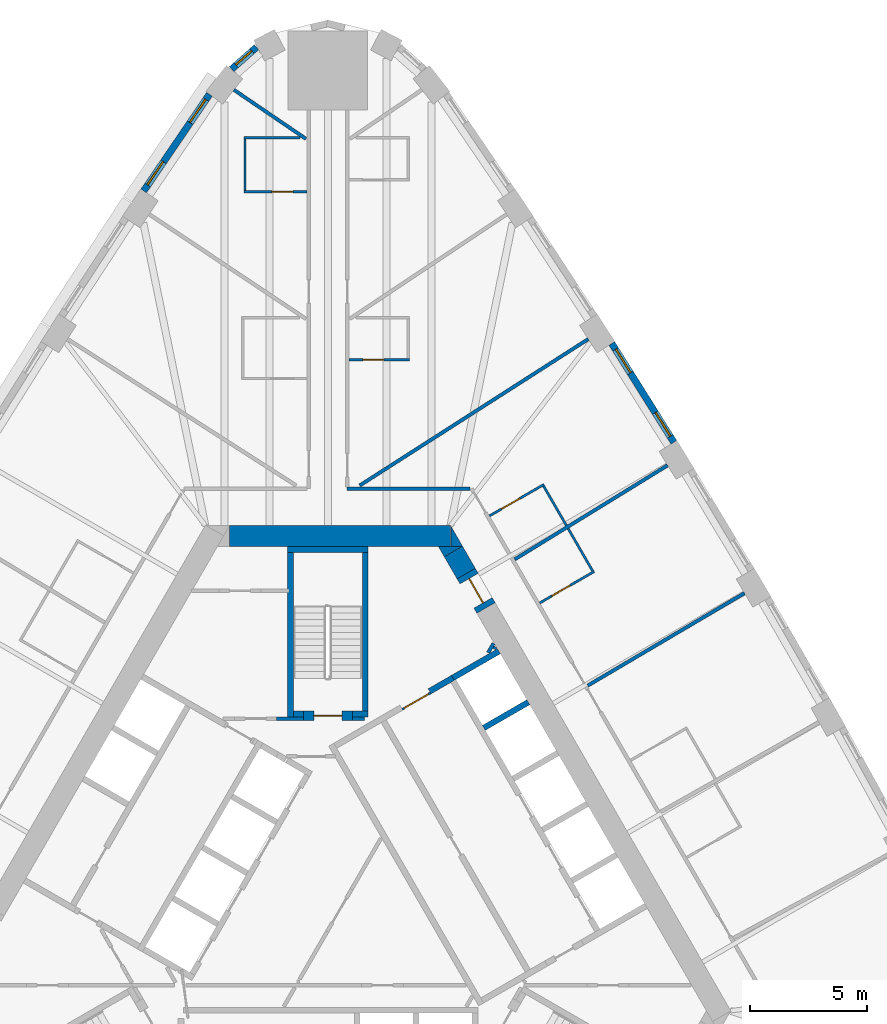
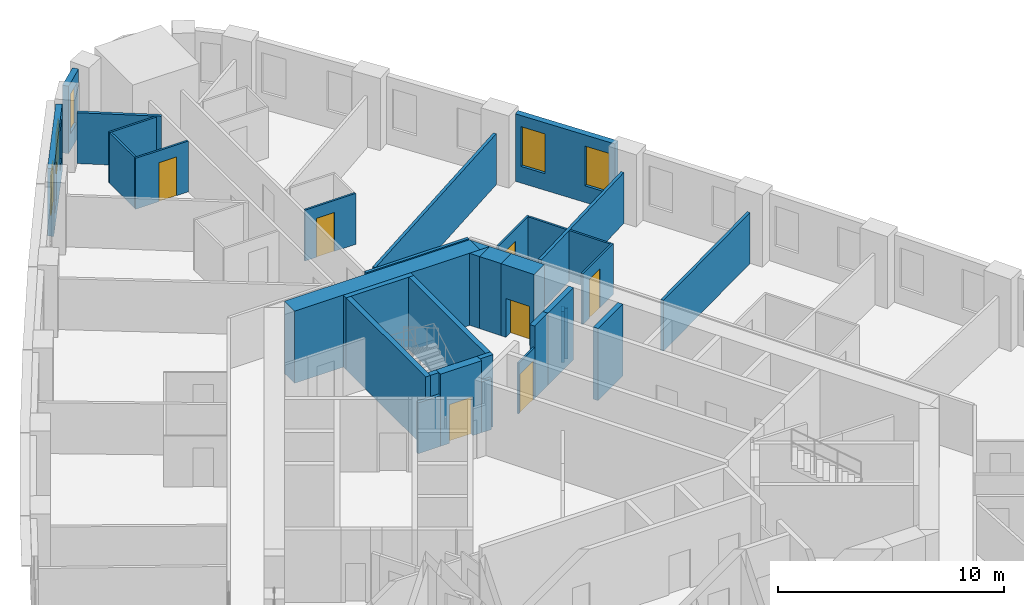
# One storey, part 10 of 13: 35 walls, 7 doors, 5 windows, 12 openings.
"""IFC4 building model written with IfcOpenShell, lengths in metres."""

import ifcopenshell
import ifcopenshell.guid

model = None  # the IFC model being written
_history = None  # IfcOwnerHistory: only IFC2X3 demands one
_inside = {}  # id of a spatial element -> (the spatial element, [elements in it])
_under = {}  # id of a project, library or spatial element -> (it, [spatial elements below it])
_declared = {}  # id of a project -> (the project, [libraries it declares])
_typed = {}  # id of a type object -> (the type object, [elements of that type])
_made_of = {}  # id of a material, layer set ... -> (it, [elements and type objects made of it])


def new_model(schema):
    """Start an empty IFC model of exactly this schema.

    Asked for "IFC4X3", IfcOpenShell would pick the latest addendum, in which some entities
    have other attributes; the version numbers below select the first issue.
    IFC2X3 requires an IfcOwnerHistory on every rooted entity: one is made here for all.
    """
    global model, _history
    if schema == "IFC4X3":
        model = ifcopenshell.file(schema_version=(4, 3, 0, 0))
    else:
        model = ifcopenshell.file(schema=schema)
    _inside.clear()
    _under.clear()
    _declared.clear()
    _typed.clear()
    _made_of.clear()
    _history = None
    if model.schema == "IFC2X3":
        org = make("IfcOrganization", Name="unknown")
        user = make(
            "IfcPersonAndOrganization",
            ThePerson=make("IfcPerson", FamilyName="unknown"),
            TheOrganization=org,
        )
        app = make(
            "IfcApplication",
            ApplicationDeveloper=org,
            Version="unknown",
            ApplicationFullName="unknown",
            ApplicationIdentifier="unknown",
        )
        _history = make(
            "IfcOwnerHistory",
            OwningUser=user,
            OwningApplication=app,
            ChangeAction="ADDED",
            CreationDate=0,
        )
    return model


def make(cls, **values):
    """One entity of the class cls with the attributes given. An attribute that is None is left unset."""
    return model.create_entity(
        cls, **{name: value for name, value in values.items() if value is not None}
    )


def rooted(cls, **values):
    """An entity with a GlobalId (a new one), such as an element, a storey or a relation."""
    return make(cls, GlobalId=ifcopenshell.guid.new(), OwnerHistory=_history, **values)


def si_unit(unit_type, name, prefix=None):
    """IfcSIUnit, for example si_unit("LENGTHUNIT", "METRE", prefix="MILLI")."""
    return make("IfcSIUnit", UnitType=unit_type, Prefix=prefix, Name=name)


def assignment(units):
    """IfcUnitAssignment: the units of a project."""
    return None if units is None else make("IfcUnitAssignment", Units=units)


def point(xyz):
    """IfcCartesianPoint."""
    return None if xyz is None else make("IfcCartesianPoint", Coordinates=xyz)


def direction(xyz):
    """IfcDirection."""
    return None if xyz is None else make("IfcDirection", DirectionRatios=xyz)


def frame(location, z_axis=None, x_axis=None):
    """IfcAxis2Placement3D, a coordinate frame: its origin and axes. An axis left out is left unset."""
    return make(
        "IfcAxis2Placement3D",
        Location=point(location),
        Axis=direction(z_axis),
        RefDirection=direction(x_axis),
    )


def frame_2d(location, x_axis=None):
    """IfcAxis2Placement2D, a coordinate frame in the plane: its origin and x axis."""
    return make(
        "IfcAxis2Placement2D", Location=point(location), RefDirection=direction(x_axis)
    )


def origin():
    """The frame at (0, 0, 0) with its axes left unset."""
    return frame((0.0, 0.0, 0.0))


def place(relative_to, where):
    """IfcLocalPlacement: puts the frame where relative to a parent placement (None: the world)."""
    return make(
        "IfcLocalPlacement", PlacementRelTo=relative_to, RelativePlacement=where
    )


def context(
    kind, dimensions, precision=None, world=None, true_north=None, identifier=None
):
    """IfcGeometricRepresentationContext, for example the 3D "Model" context."""
    return make(
        "IfcGeometricRepresentationContext",
        ContextIdentifier=identifier,
        ContextType=kind,
        CoordinateSpaceDimension=dimensions,
        Precision=precision,
        WorldCoordinateSystem=world,
        TrueNorth=true_north,
    )


def subcontext(parent, identifier, kind, view, scale=None):
    """IfcGeometricRepresentationSubContext, for example "Body" below "Model"."""
    return make(
        "IfcGeometricRepresentationSubContext",
        ContextIdentifier=identifier,
        ContextType=kind,
        ParentContext=parent,
        TargetScale=scale,
        TargetView=view,
    )


def project(units=None, contexts=None):
    """IfcProject with its units and contexts."""
    return rooted(
        "IfcProject",
        Name="project",
        RepresentationContexts=contexts,
        UnitsInContext=assignment(units),
    )


def spatial(cls, under=None, at=None, **own):
    """A site, building, storey or space (cls), placed at a placement, below another one or the project."""
    s = rooted(cls, ObjectPlacement=at, **own)
    if under is not None:
        _under.setdefault(under.id(), (under, []))[1].append(s)
    return s


def polyline(points):
    """IfcPolyline through the points."""
    return make("IfcPolyline", Points=[point(p) for p in points])


def profile(cls, at=None, kind="AREA", **sizes):
    """A parametric profile (cls). Its sizes go by their IFC names, for example OverallWidth=200.0."""
    return make(cls, ProfileType=kind, Position=at, **sizes)


def rectangle(**sizes):
    """IfcRectangleProfileDef."""
    return profile("IfcRectangleProfileDef", **sizes)


def outline(outer, holes=None, kind="AREA"):
    """IfcArbitraryClosedProfileDef: a profile drawn as a closed curve; with holes, ...WithVoids."""
    if holes is None:
        return make("IfcArbitraryClosedProfileDef", ProfileType=kind, OuterCurve=outer)
    return make(
        "IfcArbitraryProfileDefWithVoids",
        ProfileType=kind,
        OuterCurve=outer,
        InnerCurves=holes,
    )


def extrude(swept, where, along, depth):
    """IfcExtrudedAreaSolid: the profile swept, set in the frame where, extruded along a direction by depth."""
    return make(
        "IfcExtrudedAreaSolid",
        SweptArea=swept,
        Position=where,
        ExtrudedDirection=direction(along),
        Depth=depth,
    )


def shape(context_of_items, identifier, shape_type, items):
    """IfcShapeRepresentation: the items that make up one representation, for example the "Body"."""
    return make(
        "IfcShapeRepresentation",
        ContextOfItems=context_of_items,
        RepresentationIdentifier=identifier,
        RepresentationType=shape_type,
        Items=items,
    )


def material(Name=None, Category=None):
    """IfcMaterial."""
    return make("IfcMaterial", Name=Name, Category=Category)


def layer(
    of_material, thickness, ventilated=None, Name=None, Category=None, Priority=None
):
    """IfcMaterialLayer: one layer of a wall or slab, of a material (None: an air gap)."""
    return make(
        "IfcMaterialLayer",
        Material=of_material,
        LayerThickness=thickness,
        IsVentilated=ventilated,
        Name=Name,
        Category=Category,
        Priority=Priority,
    )


def layer_set(layers, Name=None):
    """IfcMaterialLayerSet."""
    return make("IfcMaterialLayerSet", MaterialLayers=layers, LayerSetName=Name)


def made_of(thing, what):
    """Note that an element or type object is made of a material, layer set ...; save() writes the relation."""
    if what is not None:
        _made_of.setdefault(what.id(), (what, []))[1].append(thing)
    return thing


def type_object(cls, material=None, **own):
    """A type object (cls), such as IfcWallType, which elements share."""
    return made_of(rooted(cls, **own), material)


def element(
    cls,
    number,
    at=None,
    inside=None,
    cuts=None,
    type_object=None,
    material=None,
    context=None,
    identifier="Body",
    shape_type=None,
    held_by="IfcProductDefinitionShape",
    body=None,
    shapes=None,
    **own,
):
    """One element of the class cls, such as IfcWall. Its Tag is "e" and its number.

    at: its placement. inside: the storey or other place that contains it. cuts: it is an
    opening in that element (IfcRelVoidsElement). A single representation is given by context,
    identifier, shape_type and body (its items); several are given by shapes. held_by: the class
    of the entity that holds the representations. save() writes the other relations.
    """
    e = rooted(cls, Tag="e%d" % number, ObjectPlacement=at, **own)
    if body is not None:
        shapes = [shape(context, identifier, shape_type, body)]
    if shapes is not None:
        e.Representation = make(held_by, Representations=shapes)
    if inside is not None:
        _inside.setdefault(inside.id(), (inside, []))[1].append(e)
    if cuts is not None:
        rooted(
            "IfcRelVoidsElement", RelatingBuildingElement=cuts, RelatedOpeningElement=e
        )
    if type_object is not None:
        _typed.setdefault(type_object.id(), (type_object, []))[1].append(e)
    return made_of(e, material)


def fill(opening, filler):
    """IfcRelFillsElement: the door or window that sits in an opening."""
    return rooted(
        "IfcRelFillsElement",
        RelatingOpeningElement=opening,
        RelatedBuildingElement=filler,
    )


def aggregate(whole, parts):
    """IfcRelAggregates: a whole, such as a stair, and the parts it consists of."""
    return rooted("IfcRelAggregates", RelatingObject=whole, RelatedObjects=parts)


def save(model, path):
    """Write the relations noted so far, then the file.

    IfcRelAggregates (storeys below a building ...), IfcRelContainedInSpatialStructure (elements
    in a storey), IfcRelDefinesByType, IfcRelAssociatesMaterial and IfcRelDeclares: one each for
    every whole, place, type object, material and project.
    """
    for whole, parts in _under.values():
        aggregate(whole, parts)
    for where, things in _inside.values():
        rooted(
            "IfcRelContainedInSpatialStructure",
            RelatedElements=things,
            RelatingStructure=where,
        )
    for kind, things in _typed.values():
        rooted("IfcRelDefinesByType", RelatedObjects=things, RelatingType=kind)
    for what, things in _made_of.values():
        rooted("IfcRelAssociatesMaterial", RelatedObjects=things, RelatingMaterial=what)
    for by, libraries in _declared.values():
        rooted("IfcRelDeclares", RelatingContext=by, RelatedDefinitions=libraries)
    model.write(path)


model = new_model("IFC4")

# Units and contexts
model_context = context("Model", 3, precision=1e-05, world=origin(), true_north=direction((0.0, 1.0)))
body_context = subcontext(model_context, "Body", "Model", "MODEL_VIEW")
ifc_project = project(units=[si_unit("LENGTHUNIT", "METRE"), si_unit("AREAUNIT", "SQUARE_METRE"), si_unit("VOLUMEUNIT", "CUBIC_METRE"), si_unit("PLANEANGLEUNIT", "RADIAN"), si_unit("MASSUNIT", "GRAM", prefix="KILO")], contexts=[model_context])

# Site, building, storey
site_placement = place(None, origin())
site = spatial("IfcSite", under=ifc_project, at=site_placement, CompositionType="ELEMENT")
building_placement = place(site_placement, origin())
building = spatial("IfcBuilding", under=site, at=building_placement, Name="Mestral Congress Tower", CompositionType="ELEMENT")
storey_placement = place(building_placement, frame((0.0, 0.0, 62.699951171875)))
storey = spatial("IfcBuildingStorey", under=building, at=storey_placement, Name="L14", CompositionType="ELEMENT", Elevation=62.699951171875)

# Walls
ifc_material_1 = material(Name="Fire-rated board partition")
ifc_layer_1 = layer(ifc_material_1, 0.14990234375)
ifc_layer_set_1 = layer_set([ifc_layer_1], Name="Fire-rated board partition")
wall_type_1 = type_object("IfcWallType", Name="Core partition 150", PredefinedType="PARTITIONING", material=ifc_layer_set_1)
wall_1_placement = place(storey_placement, frame((-2.1962890625, 8.62548828125, 0.0), z_axis=(0.0, 0.0, 1.0), x_axis=(1.0, 0.0, 0.0)))
element("IfcWall", 1, at=wall_1_placement, inside=storey, type_object=wall_type_1, Name="L14 core wall", PredefinedType="PARTITIONING", context=body_context, shape_type="SweptSolid", body=[
    extrude(rectangle(XDim=1.146240234375, YDim=0.14990234375, at=frame_2d((0.5732421875, 0.0))), origin(), (0.0, 0.0, 1.0), 2.75),
])
wall_2_placement = place(storey_placement, frame((1.050048828125, 8.62548828125, 0.0), z_axis=(0.0, 0.0, 1.0), x_axis=(1.0, 0.0, 0.0)))
element("IfcWall", 2, at=wall_2_placement, inside=storey, type_object=wall_type_1, Name="L14 core wall", PredefinedType="PARTITIONING", context=body_context, shape_type="SweptSolid", body=[
    extrude(rectangle(XDim=0.513916015625, YDim=0.14990234375, at=frame_2d((0.2568359375, 0.0))), origin(), (0.0, 0.0, 1.0), 2.75),
])
wall_3_placement = place(storey_placement, frame((6.87158203125, 11.44970703125, 0.0), z_axis=(0.0, 0.0, 1.0), x_axis=(0.499846793097, 0.866113839764, 0.0)))
element("IfcWall", 3, at=wall_3_placement, inside=storey, type_object=wall_type_1, Name="L14 core wall", PredefinedType="PARTITIONING", context=body_context, shape_type="SweptSolid", body=[
    extrude(rectangle(XDim=0.453369140625, YDim=0.14990234375, at=frame_2d((0.2265625, 0.0))), origin(), (0.0, 0.0, 1.0), 2.75),
])
wall_4_placement = place(storey_placement, frame((7.13134765625, 11.599609375, 0.0), z_axis=(0.0, 0.0, 1.0), x_axis=(0.498600033135, 0.866832167699, 0.0)))
element("IfcWall", 4, at=wall_4_placement, inside=storey, type_object=wall_type_1, Name="L14 core wall", PredefinedType="PARTITIONING", context=body_context, shape_type="SweptSolid", body=[
    extrude(rectangle(XDim=0.106689453125, YDim=0.14990234375, at=frame_2d((0.05322265625, 0.0))), origin(), (0.0, 0.0, 1.0), 2.75),
])

# Wall, opening, door
ifc_layer_2 = layer(ifc_material_1, 0.090087890625)
ifc_layer_set_2 = layer_set([ifc_layer_2], Name="Fire-rated board partition")
wall_type_2 = type_object("IfcWallType", Name="Core partition 150 door-wall 90", PredefinedType="PARTITIONING", material=ifc_layer_set_2)
wall_5_placement = place(storey_placement, frame((3.182861328125, 9.02001953125, 0.0), z_axis=(0.0, 0.0, 1.0), x_axis=(0.866034573852, 0.49998411664, 0.0)))
wall_5 = element("IfcWall", 5, at=wall_5_placement, inside=storey, type_object=wall_type_2, Name="L14 door wall", PredefinedType="PARTITIONING", context=body_context, shape_type="SweptSolid", body=[
    extrude(rectangle(XDim=1.39990234375, YDim=0.090087890625, at=frame_2d((0.699951171875, 0.0))), origin(), (0.0, 0.0, 1.0), 2.75),
])
opening_1_placement = place(wall_5_placement, frame((0.10009765625, 0.0, 0.0)))
opening_1 = element("IfcOpeningElement", 6, at=opening_1_placement, cuts=wall_5, Name="Opening LB1-WL2", PredefinedType="OPENING", context=body_context, shape_type="SweptSolid", body=[
    extrude(rectangle(XDim=1.199951171875, YDim=2.10009765625, at=frame_2d((0.60009765625, 1.050048828125))), frame((0.0, 0.054931640625, 0.0), z_axis=(0.0, -1.0, 0.0), x_axis=(1.0, 0.0, 0.0)), (0.0, 0.0, 1.0), 0.110107421875),
])
ifc_material_2 = material(Name="Fire-rated steel door set", Category="steel")
door_type_1 = type_object("IfcDoorType", Name="Core door LB 1200x2100", OperationType="SINGLE_SWING_LEFT", PredefinedType="DOOR", material=ifc_material_2)
door_1_placement = place(opening_1_placement, origin())
door_1 = element("IfcDoor", 7, at=door_1_placement, inside=storey, type_object=door_type_1, Name="Door LB1-WL2", OperationType="SINGLE_SWING_LEFT", OverallHeight=2.10009765625, OverallWidth=1.199951171875, PredefinedType="DOOR", context=body_context, shape_type="SweptSolid", body=[
    extrude(rectangle(XDim=1.199951171875, YDim=2.10009765625, at=frame_2d((0.60009765625, 1.050048828125))), frame((0.0, 0.02490234375, 0.0), z_axis=(0.0, -1.0, 0.0), x_axis=(1.0, 0.0, 0.0)), (0.0, 0.0, 1.0), 0.050048828125),
])
fill(opening_1, door_1)

# Walls
ifc_material_3 = material(Name="Concrete C60/75", Category="concrete")
ifc_layer_3 = layer(ifc_material_3, 0.89990234375)
ifc_layer_set_3 = layer_set([ifc_layer_3], Name="Concrete C60/75")
wall_type_3 = type_object("IfcWallType", Name="Core wall RC 900", PredefinedType="SOLIDWALL", material=ifc_layer_set_3)
wall_6_placement = place(storey_placement, frame((-4.224365234375, 16.449951171875, 0.0), z_axis=(0.0, 0.0, 1.0), x_axis=(1.0, 0.0, 0.0)))
element("IfcWall", 8, at=wall_6_placement, inside=storey, type_object=wall_type_3, Name="L14 core wall", PredefinedType="SOLIDWALL", context=body_context, shape_type="SweptSolid", body=[
    extrude(rectangle(XDim=9.48779296875, YDim=0.89990234375, at=frame_2d((4.743896484375, 0.0))), origin(), (0.0, 0.0, 1.0), 3.900146484375),
])
placement = place(storey_placement, origin())
element("IfcWall", 9, at=placement, inside=storey, type_object=wall_type_3, Name="L14 core wall", PredefinedType="SOLIDWALL", context=body_context, shape_type="SweptSolid", body=[
    extrude(outline(polyline([(5.265380859375, 16.0), (5.265380859375, 16.8798828125), (5.7734375, 16.0), (5.265380859375, 16.0)])), origin(), (0.0, 0.0, 1.0), 3.900146484375),
])
wall_8_placement = place(storey_placement, frame((5.92578125, 14.836181640625, 0.0), z_axis=(0.0, 0.0, 1.0), x_axis=(-0.500076735116, 0.865981096212, 0.0)))
element("IfcWall", 10, at=wall_8_placement, inside=storey, type_object=wall_type_3, Name="L14 core wall", PredefinedType="SOLIDWALL", context=body_context, shape_type="SweptSolid", body=[
    extrude(rectangle(XDim=1.093505859375, YDim=0.89990234375, at=frame_2d((0.546875, 0.0))), origin(), (0.0, 0.0, 1.0), 3.900146484375),
])
element("IfcWall", 11, at=placement, inside=storey, type_object=wall_type_3, Name="L14 core wall", PredefinedType="SOLIDWALL", context=body_context, shape_type="SweptSolid", body=[
    extrude(outline(polyline([(4.734375, 16.0), (5.750244140625, 16.0), (4.98828125, 15.56005859375), (4.734375, 16.0)])), origin(), (0.0, 0.0, 1.0), 3.900146484375),
])

# Wall, opening, door
wall_10_placement = place(storey_placement, frame((5.92578125, 14.836181640625, 0.0), z_axis=(0.0, 0.0, 1.0), x_axis=(0.500062241894, -0.865989465428, 0.0)))
wall_10 = element("IfcWall", 12, at=wall_10_placement, inside=storey, type_object=wall_type_3, Name="L14 door wall", PredefinedType="SOLIDWALL", context=body_context, shape_type="SweptSolid", body=[
    extrude(rectangle(XDim=1.699951171875, YDim=0.89990234375, at=frame_2d((0.85009765625, 0.0))), origin(), (0.0, 0.0, 1.0), 3.900146484375),
])
opening_2_placement = place(wall_10_placement, frame((0.25, 0.0, 0.0)))
opening_2 = element("IfcOpeningElement", 13, at=opening_2_placement, cuts=wall_10, Name="Opening XD2", PredefinedType="OPENING", context=body_context, shape_type="SweptSolid", body=[
    extrude(rectangle(XDim=1.199951171875, YDim=2.10009765625, at=frame_2d((0.60009765625, 1.050048828125))), frame((0.0, 0.4599609375, 0.0), z_axis=(0.0, -1.0, 0.0), x_axis=(1.0, 0.0, 0.0)), (0.0, 0.0, 1.0), 0.919921875),
])
door_type_2 = type_object("IfcDoorType", Name="Core door XD 1200x2100", OperationType="SINGLE_SWING_LEFT", PredefinedType="DOOR", material=ifc_material_2)
door_2_placement = place(opening_2_placement, origin())
door_2 = element("IfcDoor", 14, at=door_2_placement, inside=storey, type_object=door_type_2, Name="Door XD2", OperationType="SINGLE_SWING_LEFT", OverallHeight=2.10009765625, OverallWidth=1.199951171875, PredefinedType="DOOR", context=body_context, shape_type="SweptSolid", body=[
    extrude(rectangle(XDim=1.199951171875, YDim=2.10009765625, at=frame_2d((0.60009765625, 1.050048828125))), frame((0.0, 0.02490234375, 0.0), z_axis=(0.0, -1.0, 0.0), x_axis=(1.0, 0.0, 0.0)), (0.0, 0.0, 1.0), 0.050048828125),
])
fill(opening_2, door_2)

# Wall, openings, windows
ifc_material_4 = material(Name="Precast concrete C40/50 with limestone facing", Category="masonry")
ifc_layer_4 = layer(ifc_material_4, 0.2900390625)
ifc_layer_set_4 = layer_set([ifc_layer_4], Name="Precast concrete C40/50 with limestone facing")
wall_type_4 = type_object("IfcWallType", Name="Facade stone wall 290", PredefinedType="SOLIDWALL", material=ifc_layer_set_4)
wall_11_placement = place(storey_placement, frame((14.827392578125, 20.466064453125, 0.0), z_axis=(0.0, 0.0, 1.0), x_axis=(-0.531688286542, 0.846940119462, 0.0)))
wall_11 = element("IfcWall", 15, at=wall_11_placement, inside=storey, type_object=wall_type_4, Name="Facade wall F1-06", PredefinedType="SOLIDWALL", context=body_context, shape_type="SweptSolid", body=[
    extrude(rectangle(XDim=4.998291015625, YDim=0.2900390625, at=frame_2d((2.4990234375, 0.0))), origin(), (0.0, 0.0, 1.0), 3.650146484375),
])
opening_3_placement = place(wall_11_placement, frame((0.297119140625, 0.0, 0.89990234375)))
opening_3 = element("IfcOpeningElement", 16, at=opening_3_placement, cuts=wall_11, Name="Opening W1", PredefinedType="OPENING", context=body_context, shape_type="SweptSolid", body=[
    extrude(rectangle(XDim=1.199951171875, YDim=2.14990234375, at=frame_2d((0.60009765625, 1.074951171875))), frame((0.0, 0.155029296875, 0.0), z_axis=(0.0, -1.0, 0.0), x_axis=(1.0, 0.0, 0.0)), (0.0, 0.0, 1.0), 0.31005859375),
])
opening_4_placement = place(wall_11_placement, frame((3.501220703125, 0.0, 0.89990234375)))
opening_4 = element("IfcOpeningElement", 17, at=opening_4_placement, cuts=wall_11, Name="Opening W1", PredefinedType="OPENING", context=body_context, shape_type="SweptSolid", body=[
    extrude(rectangle(XDim=1.199951171875, YDim=2.14990234375, at=frame_2d((0.60009765625, 1.074951171875))), frame((0.0, 0.155029296875, 0.0), z_axis=(0.0, -1.0, 0.0), x_axis=(1.0, 0.0, 0.0)), (0.0, 0.0, 1.0), 0.31005859375),
])
ifc_material_5 = material(Name="Clear low-emissivity double glazing", Category="glass")
window_type_1 = type_object("IfcWindowType", Name="Facade punched window 1200 x 2150 sill 900", PartitioningType="DOUBLE_PANEL_VERTICAL", PredefinedType="WINDOW", material=ifc_material_5)
window_1_placement = place(opening_3_placement, origin())
window_1 = element("IfcWindow", 18, at=window_1_placement, inside=storey, type_object=window_type_1, Name="Window F1-06a", OverallHeight=2.14990234375, OverallWidth=1.199951171875, PartitioningType="DOUBLE_PANEL_VERTICAL", PredefinedType="WINDOW", context=body_context, shape_type="SweptSolid", body=[
    extrude(rectangle(XDim=1.199951171875, YDim=2.14990234375, at=frame_2d((0.60009765625, 1.074951171875))), frame((0.0, 0.01513671875, 0.0), z_axis=(0.0, -1.0, 0.0), x_axis=(1.0, 0.0, 0.0)), (0.0, 0.0, 1.0), 0.06005859375),
])
fill(opening_3, window_1)
window_2_placement = place(opening_4_placement, origin())
window_2 = element("IfcWindow", 19, at=window_2_placement, inside=storey, type_object=window_type_1, Name="Window F1-06b", OverallHeight=2.14990234375, OverallWidth=1.199951171875, PartitioningType="DOUBLE_PANEL_VERTICAL", PredefinedType="WINDOW", context=body_context, shape_type="SweptSolid", body=[
    extrude(rectangle(XDim=1.199951171875, YDim=2.14990234375, at=frame_2d((0.60009765625, 1.074951171875))), frame((0.0, 0.01513671875, 0.0), z_axis=(0.0, -1.0, 0.0), x_axis=(1.0, 0.0, 0.0)), (0.0, 0.0, 1.0), 0.06005859375),
])
fill(opening_4, window_2)

# Wall, opening, window
wall_12_placement = place(storey_placement, frame((-3.064453125, 37.395263671875, 0.0), z_axis=(0.0, 0.0, 1.0), x_axis=(-0.749812680302, -0.661650167731, 0.0)))
wall_12 = element("IfcWall", 20, at=wall_12_placement, inside=storey, type_object=wall_type_4, Name="Facade wall K1-3", PredefinedType="SOLIDWALL", context=body_context, shape_type="SweptSolid", body=[
    extrude(rectangle(XDim=1.4150390625, YDim=0.2900390625, at=frame_2d((0.70751953125, 0.0))), origin(), (0.0, 0.0, 1.0), 3.650146484375),
])
opening_5_placement = place(wall_12_placement, frame((0.257568359375, 0.0, 0.89990234375)))
opening_5 = element("IfcOpeningElement", 21, at=opening_5_placement, cuts=wall_12, Name="Opening W3", PredefinedType="OPENING", context=body_context, shape_type="SweptSolid", body=[
    extrude(rectangle(XDim=0.89990234375, YDim=2.14990234375, at=frame_2d((0.449951171875, 1.074951171875))), frame((0.0, 0.155029296875, 0.0), z_axis=(0.0, -1.0, 0.0), x_axis=(1.0, 0.0, 0.0)), (0.0, 0.0, 1.0), 0.31005859375),
])
window_type_2 = type_object("IfcWindowType", Name="Facade punched window 900 x 2150 sill 900", PartitioningType="SINGLE_PANEL", PredefinedType="WINDOW", material=ifc_material_5)
window_3_placement = place(opening_5_placement, origin())
window_3 = element("IfcWindow", 22, at=window_3_placement, inside=storey, type_object=window_type_2, Name="Window K1-3", OverallHeight=2.14990234375, OverallWidth=0.89990234375, PartitioningType="SINGLE_PANEL", PredefinedType="WINDOW", context=body_context, shape_type="SweptSolid", body=[
    extrude(rectangle(XDim=0.89990234375, YDim=2.14990234375, at=frame_2d((0.449951171875, 1.074951171875))), frame((0.0, 0.01513671875, 0.0), z_axis=(0.0, -1.0, 0.0), x_axis=(1.0, 0.0, 0.0)), (0.0, 0.0, 1.0), 0.06005859375),
])
fill(opening_5, window_3)

# Wall, openings, windows
wall_13_placement = place(storey_placement, frame((-5.078369140625, 35.37646484375, 0.0), z_axis=(0.0, 0.0, 1.0), x_axis=(-0.562610153679, -0.826722332454, 0.0)))
wall_13 = element("IfcWall", 23, at=wall_13_placement, inside=storey, type_object=wall_type_4, Name="Facade wall F2-00", PredefinedType="SOLIDWALL", context=body_context, shape_type="SweptSolid", body=[
    extrude(rectangle(XDim=5.005615234375, YDim=0.2900390625, at=frame_2d((2.5029296875, 0.0))), origin(), (0.0, 0.0, 1.0), 3.650146484375),
])
opening_6_placement = place(wall_13_placement, frame((0.26513671875, 0.0, 0.89990234375)))
opening_6 = element("IfcOpeningElement", 24, at=opening_6_placement, cuts=wall_13, Name="Opening W1", PredefinedType="OPENING", context=body_context, shape_type="SweptSolid", body=[
    extrude(rectangle(XDim=1.199951171875, YDim=2.14990234375, at=frame_2d((0.60009765625, 1.074951171875))), frame((0.0, 0.155029296875, 0.0), z_axis=(0.0, -1.0, 0.0), x_axis=(1.0, 0.0, 0.0)), (0.0, 0.0, 1.0), 0.31005859375),
])
opening_7_placement = place(wall_13_placement, frame((3.495361328125, 0.0, 0.89990234375)))
opening_7 = element("IfcOpeningElement", 25, at=opening_7_placement, cuts=wall_13, Name="Opening W1", PredefinedType="OPENING", context=body_context, shape_type="SweptSolid", body=[
    extrude(rectangle(XDim=1.199951171875, YDim=2.14990234375, at=frame_2d((0.60009765625, 1.074951171875))), frame((0.0, 0.155029296875, 0.0), z_axis=(0.0, -1.0, 0.0), x_axis=(1.0, 0.0, 0.0)), (0.0, 0.0, 1.0), 0.31005859375),
])
window_4_placement = place(opening_6_placement, origin())
window_4 = element("IfcWindow", 26, at=window_4_placement, inside=storey, type_object=window_type_1, Name="Window F2-00a", OverallHeight=2.14990234375, OverallWidth=1.199951171875, PartitioningType="DOUBLE_PANEL_VERTICAL", PredefinedType="WINDOW", context=body_context, shape_type="SweptSolid", body=[
    extrude(rectangle(XDim=1.199951171875, YDim=2.14990234375, at=frame_2d((0.60009765625, 1.074951171875))), frame((0.0, 0.01513671875, 0.0), z_axis=(0.0, -1.0, 0.0), x_axis=(1.0, 0.0, 0.0)), (0.0, 0.0, 1.0), 0.06005859375),
])
fill(opening_6, window_4)
window_5_placement = place(opening_7_placement, origin())
window_5 = element("IfcWindow", 27, at=window_5_placement, inside=storey, type_object=window_type_1, Name="Window F2-00b", OverallHeight=2.14990234375, OverallWidth=1.199951171875, PartitioningType="DOUBLE_PANEL_VERTICAL", PredefinedType="WINDOW", context=body_context, shape_type="SweptSolid", body=[
    extrude(rectangle(XDim=1.199951171875, YDim=2.14990234375, at=frame_2d((0.60009765625, 1.074951171875))), frame((0.0, 0.01513671875, 0.0), z_axis=(0.0, -1.0, 0.0), x_axis=(1.0, 0.0, 0.0)), (0.0, 0.0, 1.0), 0.06005859375),
])
fill(opening_7, window_5)

# Wall, opening, door
ifc_material_6 = material(Name="Gypsum board partition on metal studs with mineral wool", Category="composite")
ifc_layer_5 = layer(ifc_material_6, 0.10009765625)
ifc_layer_set_5 = layer_set([ifc_layer_5], Name="Gypsum board partition on metal studs with mineral wool")
wall_type_5 = type_object("IfcWallType", Name="Hotel partition wall 100", PredefinedType="PARTITIONING", material=ifc_layer_set_5)
wall_14_placement = place(storey_placement, frame((9.077392578125, 13.57763671875, 0.0), z_axis=(0.0, 0.0, 1.0), x_axis=(0.866036505625, 0.499980770555, 0.0)))
wall_14 = element("IfcWall", 28, at=wall_14_placement, inside=storey, type_object=wall_type_5, Name="L14-h-pod12a", PredefinedType="PARTITIONING", context=body_context, shape_type="SweptSolid", body=[
    extrude(rectangle(XDim=2.69970703125, YDim=0.10009765625, at=frame_2d((1.349853515625, 0.0))), origin(), (0.0, 0.0, 1.0), 2.75),
])
opening_8_placement = place(wall_14_placement, frame((0.60009765625, 0.0, 0.0)))
opening_8 = element("IfcOpeningElement", 29, at=opening_8_placement, cuts=wall_14, Name="Opening H04-024", PredefinedType="OPENING", context=body_context, shape_type="SweptSolid", body=[
    extrude(rectangle(XDim=0.89990234375, YDim=2.10009765625, at=frame_2d((0.449951171875, 1.050048828125))), frame((0.0, 0.06005859375, 0.0), z_axis=(0.0, -1.0, 0.0), x_axis=(1.0, 0.0, 0.0)), (0.0, 0.0, 1.0), 0.1201171875),
])
ifc_material_7 = material(Name="Timber veneer door leaf in timber frame", Category="wood")
door_type_3 = type_object("IfcDoorType", Name="Bathroom door 900", OperationType="SINGLE_SWING_LEFT", PredefinedType="DOOR", material=ifc_material_7)
door_3_placement = place(opening_8_placement, origin())
door_3 = element("IfcDoor", 30, at=door_3_placement, inside=storey, type_object=door_type_3, Name="L14-h-d024", OperationType="SINGLE_SWING_RIGHT", OverallHeight=2.10009765625, OverallWidth=0.89990234375, PredefinedType="DOOR", context=body_context, shape_type="SweptSolid", body=[
    extrude(rectangle(XDim=0.89990234375, YDim=2.10009765625, at=frame_2d((0.449951171875, 1.050048828125))), frame((0.0, 0.02490234375, 0.0), z_axis=(0.0, -1.0, 0.0), x_axis=(1.0, 0.0, 0.0)), (0.0, 0.0, 1.0), 0.050048828125),
])
fill(opening_8, door_3)

# Wall
wall_15_placement = place(storey_placement, frame((11.34228515625, 14.95458984375, 0.0), z_axis=(0.0, 0.0, 1.0), x_axis=(-0.500008976872, 0.866020220923, 0.0)))
element("IfcWall", 31, at=wall_15_placement, inside=storey, type_object=wall_type_5, Name="L14-h-pod12b", PredefinedType="PARTITIONING", context=body_context, shape_type="SweptSolid", body=[
    extrude(rectangle(XDim=2.08984375, YDim=0.10009765625, at=frame_2d((1.044921875, 0.0))), origin(), (0.0, 0.0, 1.0), 2.75),
])

# Wall, opening, door
wall_16_placement = place(storey_placement, frame((9.261962890625, 18.65771484375, 0.0), z_axis=(0.0, 0.0, 1.0), x_axis=(-0.866019956843, -0.50000943426, 0.0)))
wall_16 = element("IfcWall", 32, at=wall_16_placement, inside=storey, type_object=wall_type_5, Name="L14-h-pod13a", PredefinedType="PARTITIONING", context=body_context, shape_type="SweptSolid", body=[
    extrude(rectangle(XDim=2.7001953125, YDim=0.10009765625, at=frame_2d((1.35009765625, 0.0))), origin(), (0.0, 0.0, 1.0), 2.75),
])
opening_9_placement = place(wall_16_placement, frame((1.199951171875, 0.0, 0.0)))
opening_9 = element("IfcOpeningElement", 33, at=opening_9_placement, cuts=wall_16, Name="Opening H04-026", PredefinedType="OPENING", context=body_context, shape_type="SweptSolid", body=[
    extrude(rectangle(XDim=0.89990234375, YDim=2.10009765625, at=frame_2d((0.449951171875, 1.050048828125))), frame((0.0, 0.06005859375, 0.0), z_axis=(0.0, -1.0, 0.0), x_axis=(1.0, 0.0, 0.0)), (0.0, 0.0, 1.0), 0.1201171875),
])
door_4_placement = place(opening_9_placement, origin())
door_4 = element("IfcDoor", 34, at=door_4_placement, inside=storey, type_object=door_type_3, Name="L14-h-d026", OperationType="SINGLE_SWING_LEFT", OverallHeight=2.10009765625, OverallWidth=0.89990234375, PredefinedType="DOOR", context=body_context, shape_type="SweptSolid", body=[
    extrude(rectangle(XDim=0.89990234375, YDim=2.10009765625, at=frame_2d((0.449951171875, 1.050048828125))), frame((0.0, 0.02490234375, 0.0), z_axis=(0.0, -1.0, 0.0), x_axis=(1.0, 0.0, 0.0)), (0.0, 0.0, 1.0), 0.050048828125),
])
fill(opening_9, door_4)

# Wall
wall_17_placement = place(storey_placement, frame((9.24365234375, 18.58935546875, 0.0), z_axis=(0.0, 0.0, 1.0), x_axis=(0.500043961785, -0.866000020948, 0.0)))
element("IfcWall", 35, at=wall_17_placement, inside=storey, type_object=wall_type_5, Name="L14-h-pod13b", PredefinedType="PARTITIONING", context=body_context, shape_type="SweptSolid", body=[
    extrude(rectangle(XDim=1.949951171875, YDim=0.10009765625, at=frame_2d((0.97509765625, 0.0))), origin(), (0.0, 0.0, 1.0), 2.75),
])

# Wall, opening, door
wall_18_placement = place(storey_placement, frame((0.89990234375, 23.994384765625, 0.0), z_axis=(0.0, 0.0, 1.0), x_axis=(1.0, 0.0, 0.0)))
wall_18 = element("IfcWall", 36, at=wall_18_placement, inside=storey, type_object=wall_type_5, Name="L14-h-pod14a", PredefinedType="PARTITIONING", context=body_context, shape_type="SweptSolid", body=[
    extrude(rectangle(XDim=2.60009765625, YDim=0.10009765625, at=frame_2d((1.300048828125, 0.0))), origin(), (0.0, 0.0, 1.0), 2.75),
])
opening_10_placement = place(wall_18_placement, frame((0.60009765625, 0.0, 0.0)))
opening_10 = element("IfcOpeningElement", 37, at=opening_10_placement, cuts=wall_18, Name="Opening H04-028", PredefinedType="OPENING", context=body_context, shape_type="SweptSolid", body=[
    extrude(rectangle(XDim=0.89990234375, YDim=2.10009765625, at=frame_2d((0.449951171875, 1.050048828125))), frame((0.0, 0.06005859375, 0.0), z_axis=(0.0, -1.0, 0.0), x_axis=(1.0, 0.0, 0.0)), (0.0, 0.0, 1.0), 0.1201171875),
])
door_5_placement = place(opening_10_placement, origin())
door_5 = element("IfcDoor", 38, at=door_5_placement, inside=storey, type_object=door_type_3, Name="L14-h-d028", OperationType="SINGLE_SWING_LEFT", OverallHeight=2.10009765625, OverallWidth=0.89990234375, PredefinedType="DOOR", context=body_context, shape_type="SweptSolid", body=[
    extrude(rectangle(XDim=0.89990234375, YDim=2.10009765625, at=frame_2d((0.449951171875, 1.050048828125))), frame((0.0, 0.02490234375, 0.0), z_axis=(0.0, -1.0, 0.0), x_axis=(1.0, 0.0, 0.0)), (0.0, 0.0, 1.0), 0.050048828125),
])
fill(opening_10, door_5)

wall_19_placement = place(storey_placement, frame((-3.60009765625, 31.20849609375, 0.0), z_axis=(0.0, 0.0, 1.0), x_axis=(1.0, 0.0, 0.0)))
wall_19 = element("IfcWall", 39, at=wall_19_placement, inside=storey, type_object=wall_type_5, Name="L14-h-pod16a", PredefinedType="PARTITIONING", context=body_context, shape_type="SweptSolid", body=[
    extrude(rectangle(XDim=2.7001953125, YDim=0.10009765625, at=frame_2d((1.35009765625, 0.0))), origin(), (0.0, 0.0, 1.0), 2.75),
])
opening_11_placement = place(wall_19_placement, frame((1.199951171875, 0.0, 0.0)))
opening_11 = element("IfcOpeningElement", 40, at=opening_11_placement, cuts=wall_19, Name="Opening H04-032", PredefinedType="OPENING", context=body_context, shape_type="SweptSolid", body=[
    extrude(rectangle(XDim=0.89990234375, YDim=2.10009765625, at=frame_2d((0.449951171875, 1.050048828125))), frame((0.0, 0.06005859375, 0.0), z_axis=(0.0, -1.0, 0.0), x_axis=(1.0, 0.0, 0.0)), (0.0, 0.0, 1.0), 0.1201171875),
])
door_6_placement = place(opening_11_placement, origin())
door_6 = element("IfcDoor", 41, at=door_6_placement, inside=storey, type_object=door_type_3, Name="L14-h-d032", OperationType="SINGLE_SWING_LEFT", OverallHeight=2.10009765625, OverallWidth=0.89990234375, PredefinedType="DOOR", context=body_context, shape_type="SweptSolid", body=[
    extrude(rectangle(XDim=0.89990234375, YDim=2.10009765625, at=frame_2d((0.449951171875, 1.050048828125))), frame((0.0, 0.02490234375, 0.0), z_axis=(0.0, -1.0, 0.0), x_axis=(1.0, 0.0, 0.0)), (0.0, 0.0, 1.0), 0.050048828125),
])
fill(opening_11, door_6)

# Walls
wall_20_placement = place(storey_placement, frame((-3.550048828125, 31.258544921875, 0.0), z_axis=(0.0, 0.0, 1.0), x_axis=(0.0, 1.0, 0.0)))
element("IfcWall", 42, at=wall_20_placement, inside=storey, type_object=wall_type_5, Name="L14-h-pod16b", PredefinedType="PARTITIONING", context=body_context, shape_type="SweptSolid", body=[
    extrude(rectangle(XDim=2.199951171875, YDim=0.10009765625, at=frame_2d((1.10009765625, 0.0))), origin(), (0.0, 0.0, 1.0), 2.75),
])
wall_21_placement = place(storey_placement, frame((-1.199951171875, 33.508544921875, 0.0), z_axis=(0.0, 0.0, 1.0), x_axis=(-1.0, 0.0, 0.0)))
element("IfcWall", 43, at=wall_21_placement, inside=storey, type_object=wall_type_5, Name="L14-h-pod16c", PredefinedType="PARTITIONING", context=body_context, shape_type="SweptSolid", body=[
    extrude(rectangle(XDim=2.400146484375, YDim=0.10009765625, at=frame_2d((1.2001953125, 0.0))), origin(), (0.0, 0.0, 1.0), 2.75),
])
ifc_layer_6 = layer(ifc_material_6, 0.14990234375)
ifc_layer_set_6 = layer_set([ifc_layer_6], Name="Gypsum board partition on metal studs with mineral wool")
wall_type_6 = type_object("IfcWallType", Name="Hotel partition wall 150", PredefinedType="PARTITIONING", material=ifc_layer_set_6)
wall_22_placement = place(storey_placement, frame((0.824951171875, 18.47509765625, 0.0), z_axis=(0.0, 0.0, 1.0), x_axis=(1.0, 0.0, 0.0)))
element("IfcWall", 44, at=wall_22_placement, inside=storey, type_object=wall_type_6, Name="L14-h-cw04", PredefinedType="PARTITIONING", context=body_context, shape_type="SweptSolid", body=[
    extrude(rectangle(XDim=5.268310546875, YDim=0.14990234375, at=frame_2d((2.63427734375, 0.0))), origin(), (0.0, 0.0, 1.0), 2.75),
])
wall_23_placement = place(storey_placement, frame((-4.02783203125, 35.56884765625, 0.0), z_axis=(0.0, 0.0, 1.0), x_axis=(0.826730622998, -0.562597971021, 0.0)))
element("IfcWall", 45, at=wall_23_placement, inside=storey, type_object=wall_type_6, Name="L14-h-pw11", PredefinedType="PARTITIONING", context=body_context, shape_type="SweptSolid", body=[
    extrude(rectangle(XDim=3.7333984375, YDim=0.14990234375, at=frame_2d((1.86669921875, 0.0))), origin(), (0.0, 0.0, 1.0), 2.75),
])
wall_24_placement = place(storey_placement, frame((11.16015625, 24.887939453125, 0.0), z_axis=(0.0, 0.0, 1.0), x_axis=(-0.84199813156, -0.539480441211, 0.0)))
element("IfcWall", 46, at=wall_24_placement, inside=storey, type_object=wall_type_6, Name="L14-h-pw13", PredefinedType="PARTITIONING", context=body_context, shape_type="SweptSolid", body=[
    extrude(rectangle(XDim=11.63818359375, YDim=0.14990234375, at=frame_2d((5.819091796875, 0.0))), origin(), (0.0, 0.0, 1.0), 2.75),
])
wall_25_placement = place(storey_placement, frame((14.55810546875, 19.474609375, 0.0), z_axis=(0.0, 0.0, 1.0), x_axis=(-0.851829455142, -0.523819223925, 0.0)))
element("IfcWall", 47, at=wall_25_placement, inside=storey, type_object=wall_type_6, Name="L14-h-pw16", PredefinedType="PARTITIONING", context=body_context, shape_type="SweptSolid", body=[
    extrude(rectangle(XDim=7.68798828125, YDim=0.14990234375, at=frame_2d((3.843994140625, 0.0))), origin(), (0.0, 0.0, 1.0), 2.75),
])
wall_26_placement = place(storey_placement, frame((17.85595703125, 13.999267578125, 0.0), z_axis=(0.0, 0.0, 1.0), x_axis=(-0.861371519381, -0.507975497047, 0.0)))
element("IfcWall", 48, at=wall_26_placement, inside=storey, type_object=wall_type_6, Name="L14-h-pw18", PredefinedType="PARTITIONING", context=body_context, shape_type="SweptSolid", body=[
    extrude(rectangle(XDim=7.8037109375, YDim=0.14990234375, at=frame_2d((3.90185546875, 0.0))), origin(), (0.0, 0.0, 1.0), 2.75),
])
ifc_layer_7 = layer(ifc_material_3, 0.25)
ifc_layer_set_7 = layer_set([ifc_layer_7], Name="Concrete C60/75")
wall_type_7 = type_object("IfcWallType", Name="Shaft wall RC 250", PredefinedType="SOLIDWALL", material=ifc_layer_set_7)
wall_27_placement = place(storey_placement, frame((4.3583984375, 9.791015625, 0.0), z_axis=(0.0, 0.0, 1.0), x_axis=(0.866079547155, 0.499906209203, 0.0)))
element("IfcWall", 49, at=wall_27_placement, inside=storey, type_object=wall_type_7, Name="L14 core wall", PredefinedType="SOLIDWALL", context=body_context, shape_type="SweptSolid", body=[
    extrude(rectangle(XDim=1.150146484375, YDim=0.25, at=frame_2d((0.5751953125, 0.0))), origin(), (0.0, 0.0, 1.0), 3.900146484375),
])
wall_28_placement = place(storey_placement, frame((5.356201171875, 10.366943359375, 0.0), z_axis=(0.0, 0.0, 1.0), x_axis=(0.865978535641, 0.50008116922, 0.0)))
element("IfcWall", 50, at=wall_28_placement, inside=storey, type_object=wall_type_7, Name="L14 core wall", PredefinedType="SOLIDWALL", context=body_context, shape_type="SweptSolid", body=[
    extrude(rectangle(XDim=2.27783203125, YDim=0.25, at=frame_2d((1.138916015625, 0.0))), origin(), (0.0, 0.0, 1.0), 3.900146484375),
])
wall_29_placement = place(storey_placement, frame((6.68359375, 8.2236328125, 0.0), z_axis=(0.0, 0.0, 1.0), x_axis=(0.86605622881, 0.499946605688, 0.0)))
element("IfcWall", 51, at=wall_29_placement, inside=storey, type_object=wall_type_7, Name="L14 core wall", PredefinedType="SOLIDWALL", context=body_context, shape_type="SweptSolid", body=[
    extrude(rectangle(XDim=2.199951171875, YDim=0.25, at=frame_2d((1.10009765625, 0.0))), origin(), (0.0, 0.0, 1.0), 3.900146484375),
])
ifc_layer_8 = layer(ifc_material_3, 0.25)
ifc_layer_set_8 = layer_set([ifc_layer_8], Name="Concrete C60/75")
wall_type_8 = type_object("IfcWallType", Name="Stair wall RC 250", PredefinedType="SOLIDWALL", material=ifc_layer_set_8)
wall_30_placement = place(storey_placement, frame((-1.72509765625, 15.875, 0.0), z_axis=(0.0, 0.0, 1.0), x_axis=(1.0, 0.0, 0.0)))
element("IfcWall", 52, at=wall_30_placement, inside=storey, type_object=wall_type_8, Name="L14 core wall", PredefinedType="SOLIDWALL", context=body_context, shape_type="SweptSolid", body=[
    extrude(rectangle(XDim=3.4501953125, YDim=0.25, at=frame_2d((1.72509765625, 0.0))), origin(), (0.0, 0.0, 1.0), 3.900146484375),
])
wall_31_placement = place(storey_placement, frame((1.60009765625, 8.949951171875, 0.0), z_axis=(0.0, 0.0, 1.0), x_axis=(0.0, 1.0, 0.0)))
element("IfcWall", 53, at=wall_31_placement, inside=storey, type_object=wall_type_8, Name="L14 core wall", PredefinedType="SOLIDWALL", context=body_context, shape_type="SweptSolid", body=[
    extrude(rectangle(XDim=6.800048828125, YDim=0.25, at=frame_2d((3.39990234375, 0.0))), origin(), (0.0, 0.0, 1.0), 3.900146484375),
])
wall_32_placement = place(storey_placement, frame((1.050048828125, 8.824951171875, 0.0), z_axis=(0.0, 0.0, 1.0), x_axis=(1.0, 0.0, 0.0)))
element("IfcWall", 54, at=wall_32_placement, inside=storey, type_object=wall_type_8, Name="L14 core wall", PredefinedType="SOLIDWALL", context=body_context, shape_type="SweptSolid", body=[
    extrude(rectangle(XDim=0.675048828125, YDim=0.25, at=frame_2d((0.33740234375, 0.0))), origin(), (0.0, 0.0, 1.0), 3.900146484375),
])
wall_33_placement = place(storey_placement, frame((-1.60009765625, 8.699951171875, 0.0), z_axis=(0.0, 0.0, 1.0), x_axis=(0.0, 1.0, 0.0)))
element("IfcWall", 55, at=wall_33_placement, inside=storey, type_object=wall_type_8, Name="L14 core wall", PredefinedType="SOLIDWALL", context=body_context, shape_type="SweptSolid", body=[
    extrude(rectangle(XDim=7.050048828125, YDim=0.25, at=frame_2d((3.52490234375, 0.0))), origin(), (0.0, 0.0, 1.0), 3.900146484375),
])
wall_34_placement = place(storey_placement, frame((-1.47509765625, 8.824951171875, 0.0), z_axis=(0.0, 0.0, 1.0), x_axis=(1.0, 0.0, 0.0)))
element("IfcWall", 56, at=wall_34_placement, inside=storey, type_object=wall_type_8, Name="L14 core wall", PredefinedType="SOLIDWALL", context=body_context, shape_type="SweptSolid", body=[
    extrude(rectangle(XDim=0.425048828125, YDim=0.25, at=frame_2d((0.21240234375, 0.0))), origin(), (0.0, 0.0, 1.0), 3.900146484375),
])

# Wall, opening, door
ifc_layer_9 = layer(ifc_material_3, 0.39990234375)
ifc_layer_set_9 = layer_set([ifc_layer_9], Name="Concrete C60/75")
wall_type_9 = type_object("IfcWallType", Name="Stair wall RC 250 door-wall 400", PredefinedType="SOLIDWALL", material=ifc_layer_set_9)
wall_35_placement = place(storey_placement, frame((1.050048828125, 8.75, 0.0), z_axis=(0.0, 0.0, 1.0), x_axis=(-1.0, 0.0, 0.0)))
wall_35 = element("IfcWall", 57, at=wall_35_placement, inside=storey, type_object=wall_type_9, Name="L14 door wall", PredefinedType="SOLIDWALL", context=body_context, shape_type="SweptSolid", body=[
    extrude(rectangle(XDim=2.10009765625, YDim=0.39990234375, at=frame_2d((1.050048828125, 0.0))), origin(), (0.0, 0.0, 1.0), 3.900146484375),
])
opening_12_placement = place(wall_35_placement, frame((0.449951171875, 0.0, 0.0)))
opening_12 = element("IfcOpeningElement", 58, at=opening_12_placement, cuts=wall_35, Name="Opening ST-D2", PredefinedType="OPENING", context=body_context, shape_type="SweptSolid", body=[
    extrude(rectangle(XDim=1.199951171875, YDim=2.10009765625, at=frame_2d((0.60009765625, 1.050048828125))), frame((0.0, 0.2099609375, 0.0), z_axis=(0.0, -1.0, 0.0), x_axis=(1.0, 0.0, 0.0)), (0.0, 0.0, 1.0), 0.419921875),
])
door_type_4 = type_object("IfcDoorType", Name="Core door ST 1200x2100", OperationType="SINGLE_SWING_LEFT", PredefinedType="DOOR", material=ifc_material_2)
door_7_placement = place(opening_12_placement, origin())
door_7 = element("IfcDoor", 59, at=door_7_placement, inside=storey, type_object=door_type_4, Name="Door ST-D2", OperationType="SINGLE_SWING_LEFT", OverallHeight=2.10009765625, OverallWidth=1.199951171875, PredefinedType="DOOR", context=body_context, shape_type="SweptSolid", body=[
    extrude(rectangle(XDim=1.199951171875, YDim=2.10009765625, at=frame_2d((0.60009765625, 1.050048828125))), frame((0.0, 0.02490234375, 0.0), z_axis=(0.0, -1.0, 0.0), x_axis=(1.0, 0.0, 0.0)), (0.0, 0.0, 1.0), 0.050048828125),
])
fill(opening_12, door_7)

save(model, "model.ifc")
